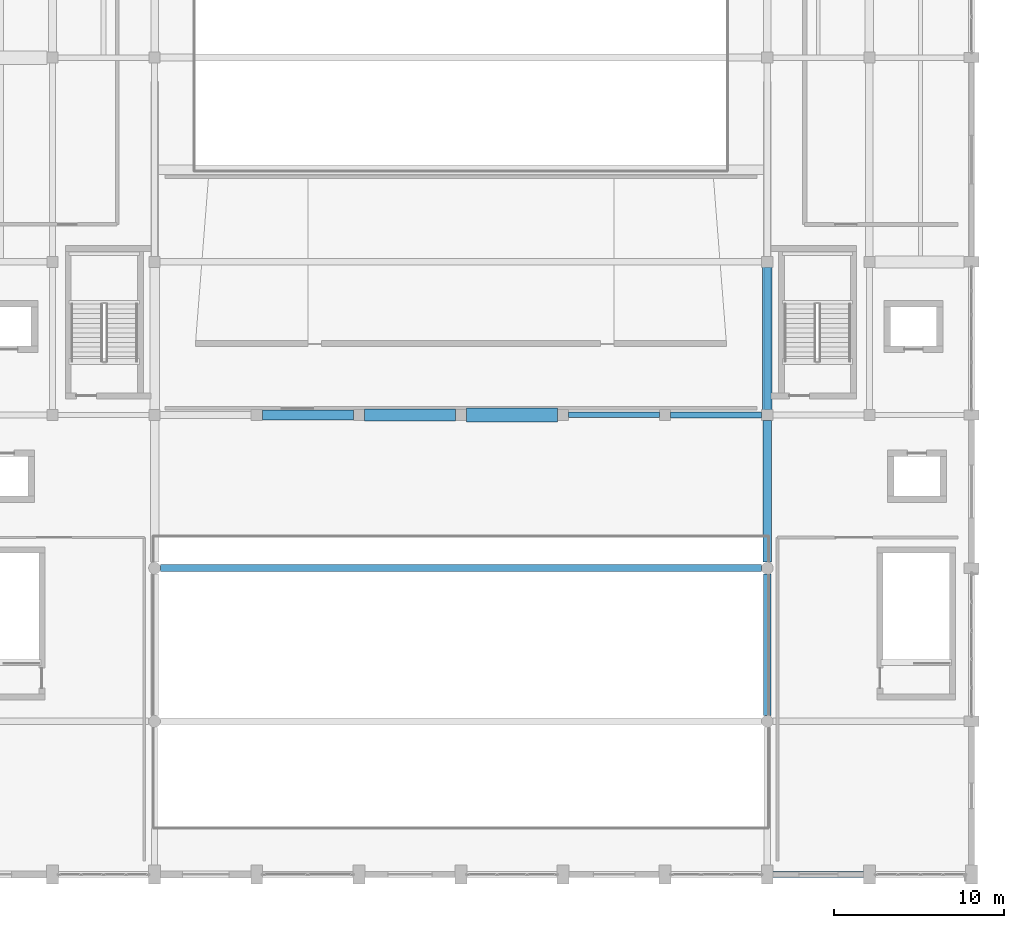
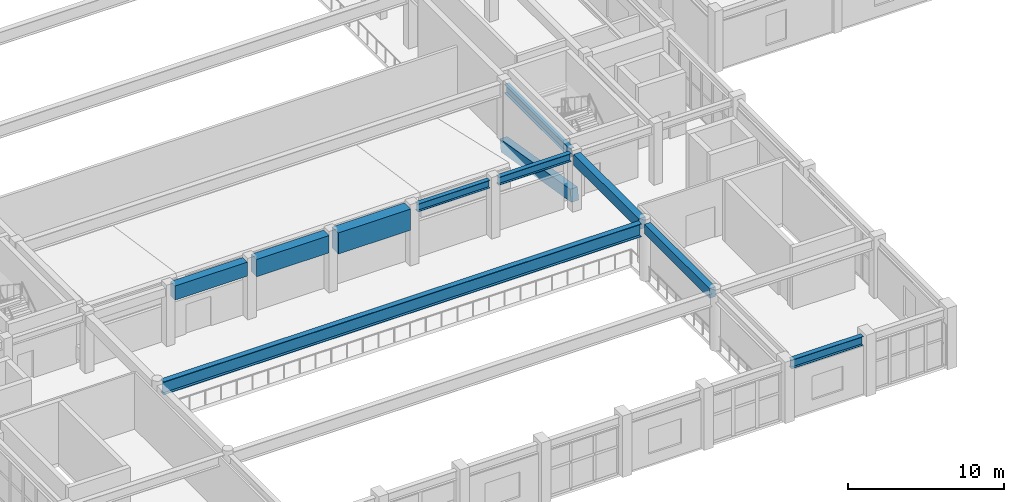
# One storey, part 23 of 80: 11 beams.
"""IFC4 building model written with IfcOpenShell, lengths in metres."""

from ifc_helpers import new_model, si_unit, direction, frame, origin, origin_2d, place, context, subcontext, project, spatial, rectangle, i_section, extrude, material, material_profile, profile_set, type_object, element, save


model = new_model("IFC4")

# Units and contexts
model_context = context("Model", 3, precision=1e-05, world=origin(), true_north=direction((0.0, 1.0)))
body_context = subcontext(model_context, "Body", "Model", "MODEL_VIEW")
ifc_project = project(units=[si_unit("LENGTHUNIT", "METRE"), si_unit("AREAUNIT", "SQUARE_METRE"), si_unit("VOLUMEUNIT", "CUBIC_METRE"), si_unit("PLANEANGLEUNIT", "RADIAN"), si_unit("MASSUNIT", "GRAM", prefix="KILO")], contexts=[model_context])

# Site, building, storey
site_placement = place(None, origin())
site = spatial("IfcSite", under=ifc_project, at=site_placement, CompositionType="ELEMENT")
building_placement = place(site_placement, origin())
building = spatial("IfcBuilding", under=site, at=building_placement, Name="Vaelkrest Opera House", CompositionType="ELEMENT")
storey_placement = place(building_placement, frame((0.0, 0.0, 15.0)))
storey = spatial("IfcBuildingStorey", under=building, at=storey_placement, Name="L03", CompositionType="ELEMENT", Elevation=15.0)

# Beams
ifc_material_1 = material(Name="Concrete C50/60", Category="concrete")
ifc_material_profile_1 = material_profile(ifc_material_1, rectangle(XDim=0.449951171875, YDim=0.75, at=origin_2d()), Name="RCB450X750")
ifc_profile_set_1 = profile_set([ifc_material_profile_1], Name="Concrete C50/60")
beam_type_1 = type_object("IfcBeamType", Name="B02", PredefinedType="BEAM", material=ifc_profile_set_1)
beam_1_placement = place(storey_placement, frame((18.0, -46.449951171875, 4.1298828125), z_axis=(0.0, 1.0, 0.0), x_axis=(-1.0, 0.0, 0.0)))
element("IfcBeam", 1, at=beam_1_placement, inside=storey, type_object=beam_type_1, Name="Beam BM-V1-L03-0495", PredefinedType="BEAM", context=body_context, shape_type="SweptSolid", body=[
    extrude(rectangle(XDim=0.449951171875, YDim=0.75, at=origin_2d()), origin(), (0.0, 0.0, 1.0), 8.300048828125),
])
ifc_material_profile_2 = material_profile(ifc_material_1, rectangle(XDim=0.5, YDim=0.85009765625, at=origin_2d()), Name="RCB500X850")
ifc_profile_set_2 = profile_set([ifc_material_profile_2], Name="Concrete C50/60")
beam_type_2 = type_object("IfcBeamType", Name="B03", PredefinedType="BEAM", material=ifc_profile_set_2)
beam_2_placement = place(storey_placement, frame((18.0, -37.449951171875, 4.080078125), z_axis=(0.0, 1.0, 0.0), x_axis=(-1.0, 0.0, 0.0)))
element("IfcBeam", 2, at=beam_2_placement, inside=storey, type_object=beam_type_2, Name="Beam BM-V1-L03-0496", PredefinedType="BEAM", context=body_context, shape_type="SweptSolid", body=[
    extrude(rectangle(XDim=0.5, YDim=0.85009765625, at=origin_2d()), origin(), (0.0, 0.0, 1.0), 8.324951171875),
])
ifc_material_profile_3 = material_profile(ifc_material_1, rectangle(XDim=0.550048828125, YDim=0.949951171875, at=origin_2d()), Name="RCB550X950")
ifc_profile_set_3 = profile_set([ifc_material_profile_3], Name="Concrete C50/60")
beam_type_3 = type_object("IfcBeamType", Name="B04", PredefinedType="BEAM", material=ifc_profile_set_3)
beam_3_placement = place(storey_placement, frame((18.0, -19.800048828125, -0.449951171875), z_axis=(0.0, -0.986035940065, 0.166532654157), x_axis=(1.0, 0.0, 0.0)))
element("IfcBeam", 3, at=beam_3_placement, inside=storey, type_object=beam_type_3, Name="Auditorium raker beam 8", PredefinedType="BEAM", context=body_context, shape_type="SweptSolid", body=[
    extrude(rectangle(XDim=0.550048828125, YDim=0.949951171875, at=origin_2d()), origin(), (0.0, 0.0, 1.0), 9.12744140625),
])
ifc_material_profile_4 = material_profile(ifc_material_1, rectangle(XDim=0.60009765625, YDim=1.10009765625, at=origin_2d()), Name="RCB600X1100")
ifc_profile_set_4 = profile_set([ifc_material_profile_4], Name="Concrete C50/60")
beam_type_4 = type_object("IfcBeamType", Name="B05", PredefinedType="BEAM", material=ifc_profile_set_4)
beam_4_placement = place(storey_placement, frame((-11.675048828125, -28.800048828125, 3.955078125), z_axis=(1.0, 0.0, 0.0), x_axis=(0.0, 1.0, 0.0)))
element("IfcBeam", 4, at=beam_4_placement, inside=storey, type_object=beam_type_4, Name="Beam BM-V1-L03-0438", PredefinedType="BEAM", context=body_context, shape_type="SweptSolid", body=[
    extrude(rectangle(XDim=0.60009765625, YDim=1.10009765625, at=origin_2d()), origin(), (0.0, 0.0, 1.0), 5.35009765625),
])
ifc_material_profile_5 = material_profile(ifc_material_1, rectangle(XDim=0.699951171875, YDim=1.35009765625, at=origin_2d()), Name="RCB700X1350")
ifc_profile_set_5 = profile_set([ifc_material_profile_5], Name="Concrete C50/60")
beam_type_5 = type_object("IfcBeamType", Name="B06", PredefinedType="BEAM", material=ifc_profile_set_5)
beam_5_placement = place(storey_placement, frame((-5.675048828125, -28.800048828125, 3.830078125), z_axis=(1.0, 0.0, 0.0), x_axis=(0.0, 1.0, 0.0)))
element("IfcBeam", 5, at=beam_5_placement, inside=storey, type_object=beam_type_5, Name="Beam BM-V1-L03-0439", PredefinedType="BEAM", context=body_context, shape_type="SweptSolid", body=[
    extrude(rectangle(XDim=0.699951171875, YDim=1.35009765625, at=origin_2d()), origin(), (0.0, 0.0, 1.0), 5.35009765625),
])
ifc_material_profile_6 = material_profile(ifc_material_1, rectangle(XDim=0.800048828125, YDim=1.64990234375, at=origin_2d()), Name="RCB800X1650")
ifc_profile_set_6 = profile_set([ifc_material_profile_6], Name="Concrete C50/60")
beam_type_6 = type_object("IfcBeamType", Name="B07", PredefinedType="BEAM", material=ifc_profile_set_6)
beam_6_placement = place(storey_placement, frame((0.324951171875, -28.800048828125, 3.679931640625), z_axis=(1.0, 0.0, 0.0), x_axis=(0.0, 1.0, 0.0)))
element("IfcBeam", 6, at=beam_6_placement, inside=storey, type_object=beam_type_6, Name="Beam BM-V1-L03-0440", PredefinedType="BEAM", context=body_context, shape_type="SweptSolid", body=[
    extrude(rectangle(XDim=0.800048828125, YDim=1.64990234375, at=origin_2d()), origin(), (0.0, 0.0, 1.0), 5.35009765625),
])
ifc_material_2 = material(Name="Steel A992 Gr50", Category="steel")
ifc_material_profile_7 = material_profile(ifc_material_2, i_section(OverallWidth=0.323974609375, OverallDepth=0.611083984375, WebThickness=0.0126953125, FlangeThickness=0.01904296875, at=origin_2d()), Name="W24X104")
ifc_profile_set_7 = profile_set([ifc_material_profile_7], Name="Steel A992 Gr50")
beam_type_7 = type_object("IfcBeamType", Name="B08", PredefinedType="BEAM", material=ifc_profile_set_7)
beam_7_placement = place(storey_placement, frame((6.324951171875, -28.800048828125, 4.199462890625), z_axis=(1.0, 0.0, 0.0), x_axis=(0.0, 1.0, 0.0)))
element("IfcBeam", 7, at=beam_7_placement, inside=storey, type_object=beam_type_7, Name="Beam BM-V1-L03-0441", PredefinedType="BEAM", context=body_context, shape_type="SweptSolid", body=[
    extrude(i_section(OverallWidth=0.323974609375, OverallDepth=0.611083984375, WebThickness=0.0126953125, FlangeThickness=0.01904296875, at=origin_2d()), origin(), (0.0, 0.0, 1.0), 5.35009765625),
])
ifc_material_profile_8 = material_profile(ifc_material_2, i_section(OverallWidth=0.327880859375, OverallDepth=0.6279296875, WebThickness=0.0166015625, FlangeThickness=0.027587890625, at=origin_2d()), Name="W24X146")
ifc_profile_set_8 = profile_set([ifc_material_profile_8], Name="Steel A992 Gr50")
beam_type_8 = type_object("IfcBeamType", Name="B09", PredefinedType="BEAM", material=ifc_profile_set_8)
beam_8_placement = place(storey_placement, frame((12.324951171875, -28.800048828125, 4.19091796875), z_axis=(1.0, 0.0, 0.0), x_axis=(0.0, 1.0, 0.0)))
element("IfcBeam", 8, at=beam_8_placement, inside=storey, type_object=beam_type_8, Name="Beam BM-V1-L03-0442", PredefinedType="BEAM", context=body_context, shape_type="SweptSolid", body=[
    extrude(i_section(OverallWidth=0.327880859375, OverallDepth=0.6279296875, WebThickness=0.0166015625, FlangeThickness=0.027587890625, at=origin_2d()), origin(), (0.0, 0.0, 1.0), 5.35009765625),
])
ifc_material_profile_9 = material_profile(ifc_material_2, i_section(OverallWidth=0.35498046875, OverallDepth=0.695068359375, WebThickness=0.015380859375, FlangeThickness=0.02490234375, at=origin_2d()), Name="W27X146")
ifc_profile_set_9 = profile_set([ifc_material_profile_9], Name="Steel A992 Gr50")
beam_type_9 = type_object("IfcBeamType", Name="B10", PredefinedType="BEAM", material=ifc_profile_set_9)
beam_9_placement = place(storey_placement, frame((18.0, -28.47509765625, 4.157470703125), z_axis=(0.0, 1.0, 0.0), x_axis=(-1.0, 0.0, 0.0)))
element("IfcBeam", 9, at=beam_9_placement, inside=storey, type_object=beam_type_9, Name="Beam BM-V1-L03-0497", PredefinedType="BEAM", context=body_context, shape_type="SweptSolid", body=[
    extrude(i_section(OverallWidth=0.35498046875, OverallDepth=0.695068359375, WebThickness=0.015380859375, FlangeThickness=0.02490234375, at=origin_2d()), origin(), (0.0, 0.0, 1.0), 8.35009765625),
])
ifc_material_profile_10 = material_profile(ifc_material_2, i_section(OverallWidth=0.39990234375, OverallDepth=1.02197265625, WebThickness=0.01904296875, FlangeThickness=0.0361328125, at=origin_2d()), Name="W40X249")
ifc_profile_set_10 = profile_set([ifc_material_profile_10], Name="Steel A992 Gr50")
beam_type_10 = type_object("IfcBeamType", Name="B15", PredefinedType="BEAM", material=ifc_profile_set_10)
beam_10_placement = place(storey_placement, frame((-17.64990234375, -37.800048828125, 3.993896484375), z_axis=(1.0, 0.0, 0.0), x_axis=(0.0, 1.0, 0.0)))
element("IfcBeam", 10, at=beam_10_placement, inside=storey, type_object=beam_type_10, Name="Beam BM-V1-L03-0434", PredefinedType="BEAM", context=body_context, shape_type="SweptSolid", body=[
    extrude(i_section(OverallWidth=0.39990234375, OverallDepth=1.02197265625, WebThickness=0.01904296875, FlangeThickness=0.0361328125, at=origin_2d()), origin(), (0.0, 0.0, 1.0), 35.2998046875),
])
ifc_material_profile_11 = material_profile(ifc_material_2, i_section(OverallWidth=0.35498046875, OverallDepth=0.695068359375, WebThickness=0.015380859375, FlangeThickness=0.02490234375, at=origin_2d()), Name="W27X146")
ifc_profile_set_11 = profile_set([ifc_material_profile_11], Name="Steel A992 Gr50")
beam_type_11 = type_object("IfcBeamType", Name="SP02", PredefinedType="SPANDREL", material=ifc_profile_set_11)
beam_11_placement = place(storey_placement, frame((18.35009765625, -55.800048828125, 4.157470703125), z_axis=(1.0, 0.0, 0.0), x_axis=(0.0, 1.0, 0.0)))
element("IfcBeam", 11, at=beam_11_placement, inside=storey, type_object=beam_type_11, Name="Beam BM-V1-L03-0429", PredefinedType="SPANDREL", context=body_context, shape_type="SweptSolid", body=[
    extrude(i_section(OverallWidth=0.35498046875, OverallDepth=0.695068359375, WebThickness=0.015380859375, FlangeThickness=0.02490234375, at=origin_2d()), origin(), (0.0, 0.0, 1.0), 5.2998046875),
])

save(model, "model.ifc")
